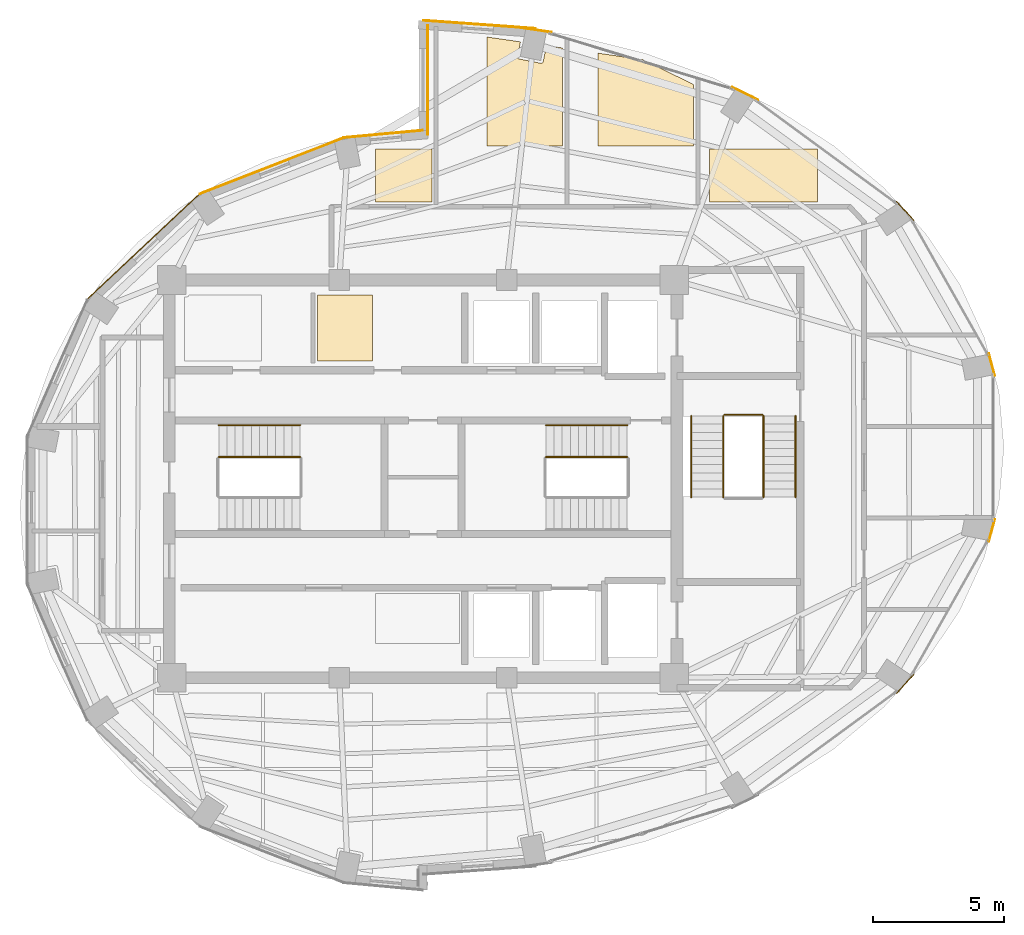
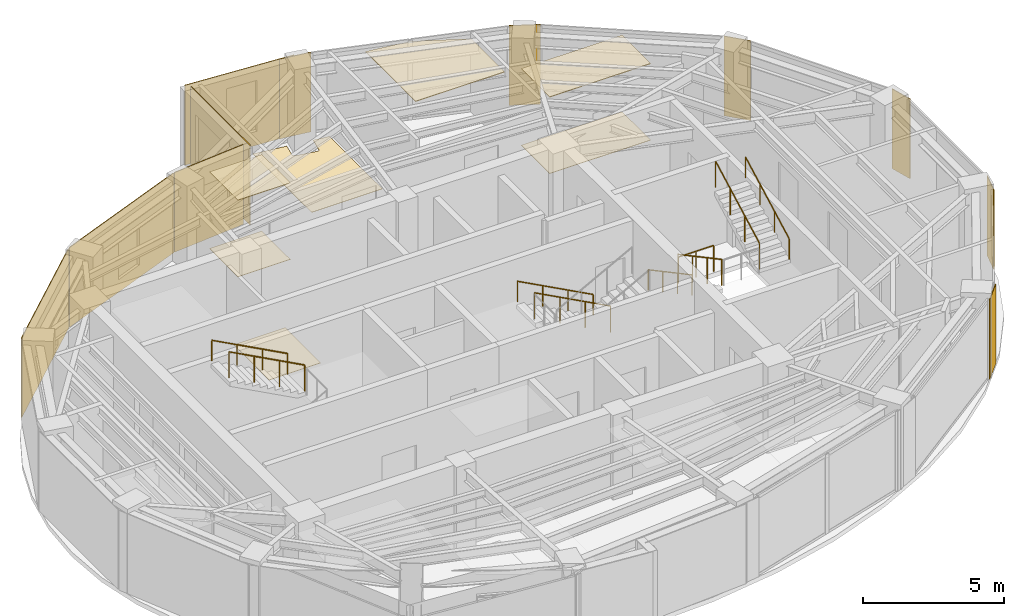
# One storey, part 13 of 13: 18 coverings, 9 railings.
"""IFC4 building model written with IfcOpenShell, lengths in metres."""

from ifc_helpers import new_model, si_unit, direction, frame, origin, origin_2d, place, context, subcontext, project, spatial, polyline, rectangle, circle, outline, extrude, material, layer, layer_set, type_object, element, save


model = new_model("IFC4")

# Units and contexts
model_context = context("Model", 3, precision=1e-05, world=origin(), true_north=direction((0.0, 1.0)))
body_context = subcontext(model_context, "Body", "Model", "MODEL_VIEW")
ifc_project = project(units=[si_unit("LENGTHUNIT", "METRE"), si_unit("AREAUNIT", "SQUARE_METRE"), si_unit("VOLUMEUNIT", "CUBIC_METRE"), si_unit("PLANEANGLEUNIT", "RADIAN"), si_unit("MASSUNIT", "GRAM", prefix="KILO")], contexts=[model_context])

# Site, building, storey
site_placement = place(None, origin())
site = spatial("IfcSite", under=ifc_project, at=site_placement, CompositionType="ELEMENT")
building_placement = place(site_placement, origin())
building = spatial("IfcBuilding", under=site, at=building_placement, Name="Lazwardi Medical Tower", CompositionType="ELEMENT")
storey_placement = place(building_placement, frame((0.0, 0.0, 276.912109375)))
storey = spatial("IfcBuildingStorey", under=building, at=storey_placement, Name="L72", CompositionType="ELEMENT", Elevation=276.912109375)

# Coverings
ifc_material_1 = material(Name="Anodised bronze aluminium cassette cladding", Category="aluminium")
ifc_layer_1 = layer(ifc_material_1, 0.030029296875)
ifc_layer_set_1 = layer_set([ifc_layer_1], Name="Anodised bronze aluminium cassette cladding")
covering_type_1 = type_object("IfcCoveringType", Name="COV-CLD-BRZ", PredefinedType="CLADDING", material=ifc_layer_set_1)
covering_1_placement = place(storey_placement, frame((54.42529296875, 20.165283203125, 0.0), z_axis=(0.0, 0.0, 1.0), x_axis=(0.673240970654, 0.739423150458, 0.0)))
element("IfcCovering", 1, at=covering_1_placement, inside=storey, type_object=covering_type_1, Name="L72 Mega-column bronze cassette cover M03", PredefinedType="CLADDING", context=body_context, shape_type="SweptSolid", body=[
    extrude(rectangle(XDim=0.98974609375, YDim=0.030029296875, at=origin_2d()), origin(), (0.0, 0.0, 1.0), 3.447998046875),
])
for number, where, z_axis, x_axis, name in (
    (2, (57.734130859375, 26.02734375, 0.0), (0.0, 0.0, 1.0), (0.261641748247, 0.96516506131, 0.0), "L72 Mega-column bronze cassette cover M04"),
    (3, (57.734130859375, 32.37255859375, 0.0), (0.0, 0.0, 1.0), (-0.261641748247, 0.96516506131, 0.0), "L72 Mega-column bronze cassette cover M05"),
):
    element("IfcCovering", number, at=place(storey_placement, frame(where, z_axis=z_axis, x_axis=x_axis)), inside=storey, type_object=covering_type_1, Name=name, PredefinedType="CLADDING", context=body_context, shape_type="SweptSolid", body=[
        extrude(rectangle(XDim=0.894287109375, YDim=0.030029296875, at=origin_2d()), origin(), (0.0, 0.0, 1.0), 3.447998046875),
    ])
covering_2_placement = place(storey_placement, frame((54.42529296875, 38.234619140625, 0.0), z_axis=(0.0, 0.0, 1.0), x_axis=(-0.673240970654, 0.739423150458, 0.0)))
element("IfcCovering", 4, at=covering_2_placement, inside=storey, type_object=covering_type_1, Name="L72 Mega-column bronze cassette cover M06", PredefinedType="CLADDING", context=body_context, shape_type="SweptSolid", body=[
    extrude(rectangle(XDim=0.98974609375, YDim=0.030029296875, at=origin_2d()), origin(), (0.0, 0.0, 1.0), 3.447998046875),
])
covering_3_placement = place(storey_placement, frame((48.311279296875, 42.721435546875, 0.0), z_axis=(0.0, 0.0, 1.0), x_axis=(-0.897840141691, 0.440321564278, 0.0)))
element("IfcCovering", 5, at=covering_3_placement, inside=storey, type_object=covering_type_1, Name="L72 Mega-column bronze cassette cover M07", PredefinedType="CLADDING", context=body_context, shape_type="SweptSolid", body=[
    extrude(rectangle(XDim=1.110595703125, YDim=0.030029296875, at=origin_2d()), origin(), (0.0, 0.0, 1.0), 3.447998046875),
])
covering_4_placement = place(storey_placement, frame((40.3232421875, 45.1494140625, 0.0), z_axis=(0.0, 0.0, 1.0), x_axis=(-0.989512431533, 0.144447733943, 0.0)))
element("IfcCovering", 6, at=covering_4_placement, inside=storey, type_object=covering_type_1, Name="L72 Mega-column bronze cassette cover M08", PredefinedType="CLADDING", context=body_context, shape_type="SweptSolid", body=[
    extrude(rectangle(XDim=1.188720703125, YDim=0.030029296875, at=origin_2d()), origin(), (0.0, 0.0, 1.0), 3.447998046875),
])
covering_5_placement = place(storey_placement, frame((25.31201171875, 36.870361328125, 0.0), z_axis=(0.0, 0.0, 1.0), x_axis=(-0.728254960063, -0.685306291481, 0.0)))
element("IfcCovering", 7, at=covering_5_placement, inside=storey, type_object=covering_type_1, Name="L72 West drum ceramic/bronze cladding", PredefinedType="CLADDING", context=body_context, shape_type="SweptSolid", body=[
    extrude(rectangle(XDim=5.78125, YDim=0.030029296875, at=origin_2d()), origin(), (0.0, 0.0, 1.0), 3.447998046875),
])
ifc_material_2 = material(Name="Turquoise glazed ceramic tilework cladding", Category="masonry")
ifc_layer_2 = layer(ifc_material_2, 0.034912109375)
ifc_layer_set_2 = layer_set([ifc_layer_2], Name="Turquoise glazed ceramic tilework cladding")
covering_type_2 = type_object("IfcCoveringType", Name="COV-CLD-TRQ", PredefinedType="CLADDING", material=ifc_layer_set_2)
covering_6_placement = place(storey_placement, frame((30.216064453125, 39.956787109375, 0.0), z_axis=(0.0, 0.0, 1.0), x_axis=(-0.931720388261, -0.363176428337, 0.0)))
element("IfcCovering", 8, at=covering_6_placement, inside=storey, type_object=covering_type_2, Name="L72 West drum ceramic/bronze cladding", PredefinedType="CLADDING", context=body_context, shape_type="SweptSolid", body=[
    extrude(rectangle(XDim=5.904052734375, YDim=0.034912109375, at=origin_2d()), origin(), (0.0, 0.0, 1.0), 3.447998046875),
])
covering_7_placement = place(storey_placement, frame((38.16259765625, 45.360107421875, 0.0), z_axis=(0.0, 0.0, 1.0), x_axis=(-0.997409491337, 0.071932653157, 0.0)))
element("IfcCovering", 9, at=covering_7_placement, inside=storey, type_object=covering_type_2, Name="L72 Turquoise glazed ceramic tilework cladding", PredefinedType="CLADDING", context=body_context, shape_type="SweptSolid", body=[
    extrude(rectangle(XDim=4.31103515625, YDim=0.034912109375, at=origin_2d()), origin(), (0.0, 0.0, 1.0), 3.447998046875),
])
covering_8_placement = place(storey_placement, frame((34.4970703125, 41.177001953125, 0.0), z_axis=(0.0, 0.0, 1.0), x_axis=(-0.995733560537, -0.092275004312, 0.0)))
element("IfcCovering", 10, at=covering_8_placement, inside=storey, type_object=covering_type_2, Name="L72 Turquoise glazed ceramic tilework cladding", PredefinedType="CLADDING", context=body_context, shape_type="SweptSolid", body=[
    extrude(rectangle(XDim=2.985595703125, YDim=0.034912109375, at=origin_2d()), origin(), (0.0, 0.0, 1.0), 3.447998046875),
])
covering_9_placement = place(storey_placement, frame((36.175537109375, 43.239990234375, 0.0), z_axis=(0.0, 0.0, 1.0), x_axis=(0.0, -1.0, 0.0)))
element("IfcCovering", 11, at=covering_9_placement, inside=storey, type_object=covering_type_2, Name="L72 Turquoise glazed ceramic tilework iwan panel", PredefinedType="CLADDING", context=body_context, shape_type="SweptSolid", body=[
    extrude(rectangle(XDim=4.199951171875, YDim=0.034912109375, at=origin_2d()), origin(), (0.0, 0.0, 1.0), 3.447998046875),
])
ifc_material_3 = material(Name="Acoustic mineral fibre tile")
ifc_layer_3 = layer(ifc_material_3, 0.02490234375)
ifc_layer_set_3 = layer_set([ifc_layer_3], Name="Acoustic mineral fibre tile")
covering_type_3 = type_object("IfcCoveringType", Name="COV-CLG-01", PredefinedType="CEILING", material=ifc_layer_set_3)
covering_10_placement = place(storey_placement, frame((0.0, 0.0, 3.302978515625)))
element("IfcCovering", 12, at=covering_10_placement, inside=storey, type_object=covering_type_3, Name="L72 Clinical Acoustic Ceiling 6", PredefinedType="CEILING", context=body_context, shape_type="SweptSolid", body=[
    extrude(outline(polyline([(34.19189453125, 38.574951171875), (36.3349609375, 38.574951171875), (36.3349609375, 40.596435546875), (34.19189453125, 40.596435546875), (34.19189453125, 38.574951171875)])), origin(), (0.0, 0.0, 1.0), 0.02490234375),
])
covering_11_placement = place(storey_placement, frame((0.0, 0.0, 3.302978515625)))
element("IfcCovering", 13, at=covering_11_placement, inside=storey, type_object=covering_type_3, Name="L72 Clinical Acoustic Ceiling 9", PredefinedType="CEILING", context=body_context, shape_type="SweptSolid", body=[
    extrude(outline(polyline([(46.3349609375, 40.71630859375), (46.3349609375, 43.0703125), (44.40283203125, 44.015380859375), (42.69189453125, 44.2646484375), (42.69189453125, 40.71630859375), (46.3349609375, 40.71630859375)])), origin(), (0.0, 0.0, 1.0), 0.02490234375),
])
covering_12_placement = place(storey_placement, frame((0.0, 0.0, 3.302978515625)))
element("IfcCovering", 14, at=covering_12_placement, inside=storey, type_object=covering_type_3, Name="L72 Clinical Acoustic Ceiling 10", PredefinedType="CEILING", context=body_context, shape_type="SweptSolid", body=[
    extrude(outline(polyline([(46.94189453125, 38.574951171875), (51.07177734375, 38.574951171875), (51.07177734375, 40.596435546875), (46.94189453125, 40.596435546875), (46.94189453125, 38.574951171875)])), origin(), (0.0, 0.0, 1.0), 0.02490234375),
])
ifc_material_4 = material(Name="Anti-static hospital vinyl sheet flooring")
ifc_layer_4 = layer(ifc_material_4, 0.014892578125)
ifc_layer_set_4 = layer_set([ifc_layer_4], Name="Anti-static hospital vinyl sheet flooring")
covering_type_4 = type_object("IfcCoveringType", Name="COV-FLR-01", PredefinedType="FLOORING", material=ifc_layer_set_4)
covering_13_placement = place(storey_placement, origin())
element("IfcCovering", 15, at=covering_13_placement, inside=storey, type_object=covering_type_4, Name="L72 Clinical Vinyl Flooring 4", PredefinedType="FLOORING", context=body_context, shape_type="SweptSolid", body=[
    extrude(outline(polyline([(34.07177734375, 35.02001953125), (31.9599609375, 35.02001953125), (31.9599609375, 32.5), (34.07177734375, 32.5), (34.07177734375, 35.02001953125)])), origin(), (0.0, 0.0, 1.0), 0.014892578125),
])
covering_14_placement = place(storey_placement, origin())
element("IfcCovering", 16, at=covering_14_placement, inside=storey, type_object=covering_type_4, Name="L72 Clinical Vinyl Flooring 6", PredefinedType="FLOORING", context=body_context, shape_type="SweptSolid", body=[
    extrude(outline(polyline([(34.19189453125, 38.574951171875), (36.3349609375, 38.574951171875), (36.3349609375, 40.596435546875), (34.19189453125, 40.596435546875), (34.19189453125, 38.574951171875)])), origin(), (0.0, 0.0, 1.0), 0.014892578125),
])
covering_15_placement = place(storey_placement, origin())
element("IfcCovering", 17, at=covering_15_placement, inside=storey, type_object=covering_type_4, Name="L72 Clinical Vinyl Flooring 8", PredefinedType="FLOORING", context=body_context, shape_type="SweptSolid", body=[
    extrude(outline(polyline([(41.3349609375, 40.71630859375), (41.3349609375, 44.46240234375), (40.714599609375, 44.552490234375), (40.59326171875, 43.941650390625), (40.59130859375, 43.93408203125), (40.588623046875, 43.9267578125), (40.585205078125, 43.919677734375), (40.581298828125, 43.912841796875), (40.576416015625, 43.906494140625), (40.5712890625, 43.900634765625), (40.5654296875, 43.8955078125), (40.55908203125, 43.890869140625), (40.552490234375, 43.88671875), (40.54541015625, 43.88330078125), (40.537841796875, 43.880615234375), (40.5302734375, 43.87890625), (40.5224609375, 43.877685546875), (40.5146484375, 43.877197265625), (40.5068359375, 43.877685546875), (40.4990234375, 43.87890625), (39.67529296875, 44.042724609375), (39.667724609375, 44.044677734375), (39.660400390625, 44.04736328125), (39.6533203125, 44.050537109375), (39.646484375, 44.0546875), (39.64013671875, 44.059326171875), (39.63427734375, 44.064697265625), (39.629150390625, 44.0703125), (39.62451171875, 44.076904296875), (39.620361328125, 44.08349609375), (39.616943359375, 44.090576171875), (39.6142578125, 44.097900390625), (39.6123046875, 44.105712890625), (39.611328125, 44.11328125), (39.61083984375, 44.12109375), (39.611328125, 44.12890625), (39.6123046875, 44.13671875), (39.723876953125, 44.697021484375), (38.44189453125, 44.883544921875), (38.44189453125, 40.71630859375), (41.3349609375, 40.71630859375)])), origin(), (0.0, 0.0, 1.0), 0.014892578125),
])
covering_16_placement = place(storey_placement, origin())
element("IfcCovering", 18, at=covering_16_placement, inside=storey, type_object=covering_type_4, Name="L72 Clinical Vinyl Flooring 10", PredefinedType="FLOORING", context=body_context, shape_type="SweptSolid", body=[
    extrude(outline(polyline([(46.94189453125, 38.574951171875), (51.07177734375, 38.574951171875), (51.07177734375, 40.596435546875), (46.94189453125, 40.596435546875), (46.94189453125, 38.574951171875)])), origin(), (0.0, 0.0, 1.0), 0.014892578125),
])

# Railings
ifc_material_5 = material(Name="Stainless steel Grade 316", Category="steel")
railing_type_1 = type_object("IfcRailingType", Name="RLG-GRD-1150", PredefinedType="GUARDRAIL", material=ifc_material_5)
for number, where, name in (
    (19, (31.300048828125, 28.830078125, 1.98974609375), "L72 ST1 stair guard 3"),
    (20, (43.800048828125, 28.830078125, 0.165771484375), "L72 ST2 stair guard 1"),
):
    element("IfcRailing", number, at=place(storey_placement, frame(where)), inside=storey, type_object=railing_type_1, Name=name, PredefinedType="GUARDRAIL", context=body_context, shape_type="SweptSolid", body=[
        extrude(circle(Radius=0.02392578125, at=origin_2d()), frame((0.0, 0.0, 1.1259765625), z_axis=(-0.881783298633, 0.0, 0.471654761719), x_axis=(0.0, -1.0, 0.0)), (0.0, 0.0, 1.0), 3.515625),
        extrude(circle(Radius=0.02099609375, at=origin_2d()), origin(), (0.0, 0.0, 1.0), 1.099853515625),
        extrude(circle(Radius=0.02099609375, at=origin_2d()), frame((-1.033447265625, 0.0, 0.552734375)), (0.0, 0.0, 1.0), 1.099853515625),
        extrude(circle(Radius=0.02099609375, at=origin_2d()), frame((-2.066650390625, 0.0, 1.10546875)), (0.0, 0.0, 1.0), 1.099853515625),
        extrude(circle(Radius=0.02099609375, at=origin_2d()), frame((-3.10009765625, 0.0, 1.658203125)), (0.0, 0.0, 1.0), 1.099853515625),
    ])
railing_1_placement = place(storey_placement, frame((47.469970703125, 30.39990234375, 0.165771484375)))
element("IfcRailing", 21, at=railing_1_placement, inside=storey, type_object=railing_type_1, Name="L72 ST3 stair guard 1", PredefinedType="GUARDRAIL", context=body_context, shape_type="SweptSolid", body=[
    extrude(circle(Radius=0.02392578125, at=origin_2d()), frame((0.0, 0.0, 1.1259765625), z_axis=(0.0, -0.881767849116, 0.471683644262), x_axis=(1.0, 0.0, 0.0)), (0.0, 0.0, 1.0), 3.515380859375),
    extrude(circle(Radius=0.02099609375, at=origin_2d()), origin(), (0.0, 0.0, 1.0), 1.099853515625),
    extrude(circle(Radius=0.02099609375, at=origin_2d()), frame((0.0, -1.033203125, 0.552734375)), (0.0, 0.0, 1.0), 1.099853515625),
    extrude(circle(Radius=0.02099609375, at=origin_2d()), frame((0.0, -2.066650390625, 1.10546875)), (0.0, 0.0, 1.0), 1.099853515625),
    extrude(circle(Radius=0.02099609375, at=origin_2d()), frame((0.0, -3.099853515625, 1.658203125)), (0.0, 0.0, 1.0), 1.099853515625),
])
railing_2_placement = place(storey_placement, frame((49.010009765625, 27.300048828125, 1.98974609375)))
element("IfcRailing", 22, at=railing_2_placement, inside=storey, type_object=railing_type_1, Name="L72 ST3 stair guard 3", PredefinedType="GUARDRAIL", context=body_context, shape_type="SweptSolid", body=[
    extrude(circle(Radius=0.02392578125, at=origin_2d()), frame((0.0, 0.0, 1.1259765625), z_axis=(0.0, 0.881767849116, 0.471683644262), x_axis=(-1.0, 0.0, 0.0)), (0.0, 0.0, 1.0), 3.515380859375),
    extrude(circle(Radius=0.02099609375, at=origin_2d()), origin(), (0.0, 0.0, 1.0), 1.099853515625),
    extrude(circle(Radius=0.02099609375, at=origin_2d()), frame((0.0, 1.033203125, 0.552734375)), (0.0, 0.0, 1.0), 1.099853515625),
    extrude(circle(Radius=0.02099609375, at=origin_2d()), frame((0.0, 2.066650390625, 1.10546875)), (0.0, 0.0, 1.0), 1.099853515625),
    extrude(circle(Radius=0.02099609375, at=origin_2d()), frame((0.0, 3.099853515625, 1.658203125)), (0.0, 0.0, 1.0), 1.099853515625),
])
railing_3_placement = place(storey_placement, frame((47.52001953125, 30.449951171875, 0.0)))
element("IfcRailing", 23, at=railing_3_placement, inside=storey, type_object=railing_type_1, Name="L72 ST3 stair guard 4", PredefinedType="GUARDRAIL", context=body_context, shape_type="SweptSolid", body=[
    extrude(circle(Radius=0.02392578125, at=origin_2d()), frame((0.0, 0.0, 1.1259765625), z_axis=(1.0, 0.0, 0.0), x_axis=(0.0, 1.0, 0.0)), (0.0, 0.0, 1.0), 1.43994140625),
    extrude(circle(Radius=0.02099609375, at=origin_2d()), origin(), (0.0, 0.0, 1.0), 1.099853515625),
    extrude(circle(Radius=0.02099609375, at=origin_2d()), frame((0.719970703125, 0.0, 0.0)), (0.0, 0.0, 1.0), 1.099853515625),
    extrude(circle(Radius=0.02099609375, at=origin_2d()), frame((1.43994140625, 0.0, 0.0)), (0.0, 0.0, 1.0), 1.099853515625),
])
railing_type_2 = type_object("IfcRailingType", Name="RLG-HND-920", PredefinedType="HANDRAIL", material=ifc_material_5)
for number, where, name in (
    (24, (31.300048828125, 30.050048828125, 1.98974609375), "L72 ST1 stair handrail 2"),
    (25, (43.800048828125, 30.050048828125, 0.165771484375), "L72 ST2 stair handrail 1"),
):
    element("IfcRailing", number, at=place(storey_placement, frame(where)), inside=storey, type_object=railing_type_2, Name=name, PredefinedType="HANDRAIL", context=body_context, shape_type="SweptSolid", body=[
        extrude(circle(Radius=0.02392578125, at=origin_2d()), frame((0.0, 0.0, 0.8857421875), z_axis=(-0.881783298633, 0.0, 0.471654761719), x_axis=(0.0, -1.0, 0.0)), (0.0, 0.0, 1.0), 3.515625),
        extrude(circle(Radius=0.02099609375, at=origin_2d()), origin(), (0.0, 0.0, 1.0), 0.85986328125),
        extrude(circle(Radius=0.02099609375, at=origin_2d()), frame((-1.033447265625, 0.0, 0.552734375)), (0.0, 0.0, 1.0), 0.85986328125),
        extrude(circle(Radius=0.02099609375, at=origin_2d()), frame((-2.066650390625, 0.0, 1.10546875)), (0.0, 0.0, 1.0), 0.85986328125),
        extrude(circle(Radius=0.02099609375, at=origin_2d()), frame((-3.10009765625, 0.0, 1.658203125)), (0.0, 0.0, 1.0), 0.85986328125),
    ])
railing_4_placement = place(storey_placement, frame((46.25, 30.39990234375, 0.165771484375)))
element("IfcRailing", 26, at=railing_4_placement, inside=storey, type_object=railing_type_2, Name="L72 ST3 stair handrail 1", PredefinedType="HANDRAIL", context=body_context, shape_type="SweptSolid", body=[
    extrude(circle(Radius=0.02392578125, at=origin_2d()), frame((0.0, 0.0, 0.8857421875), z_axis=(0.0, -0.881767849116, 0.471683644262), x_axis=(1.0, 0.0, 0.0)), (0.0, 0.0, 1.0), 3.515380859375),
    extrude(circle(Radius=0.02099609375, at=origin_2d()), origin(), (0.0, 0.0, 1.0), 0.85986328125),
    extrude(circle(Radius=0.02099609375, at=origin_2d()), frame((0.0, -1.033203125, 0.552734375)), (0.0, 0.0, 1.0), 0.85986328125),
    extrude(circle(Radius=0.02099609375, at=origin_2d()), frame((0.0, -2.066650390625, 1.10546875)), (0.0, 0.0, 1.0), 0.85986328125),
    extrude(circle(Radius=0.02099609375, at=origin_2d()), frame((0.0, -3.099853515625, 1.658203125)), (0.0, 0.0, 1.0), 0.85986328125),
])
railing_5_placement = place(storey_placement, frame((50.22998046875, 27.300048828125, 1.98974609375)))
element("IfcRailing", 27, at=railing_5_placement, inside=storey, type_object=railing_type_2, Name="L72 ST3 stair handrail 2", PredefinedType="HANDRAIL", context=body_context, shape_type="SweptSolid", body=[
    extrude(circle(Radius=0.02392578125, at=origin_2d()), frame((0.0, 0.0, 0.8857421875), z_axis=(0.0, 0.881767849116, 0.471683644262), x_axis=(-1.0, 0.0, 0.0)), (0.0, 0.0, 1.0), 3.515380859375),
    extrude(circle(Radius=0.02099609375, at=origin_2d()), origin(), (0.0, 0.0, 1.0), 0.85986328125),
    extrude(circle(Radius=0.02099609375, at=origin_2d()), frame((0.0, 1.033203125, 0.552734375)), (0.0, 0.0, 1.0), 0.85986328125),
    extrude(circle(Radius=0.02099609375, at=origin_2d()), frame((0.0, 2.066650390625, 1.10546875)), (0.0, 0.0, 1.0), 0.85986328125),
    extrude(circle(Radius=0.02099609375, at=origin_2d()), frame((0.0, 3.099853515625, 1.658203125)), (0.0, 0.0, 1.0), 0.85986328125),
])

save(model, "model.ifc")
